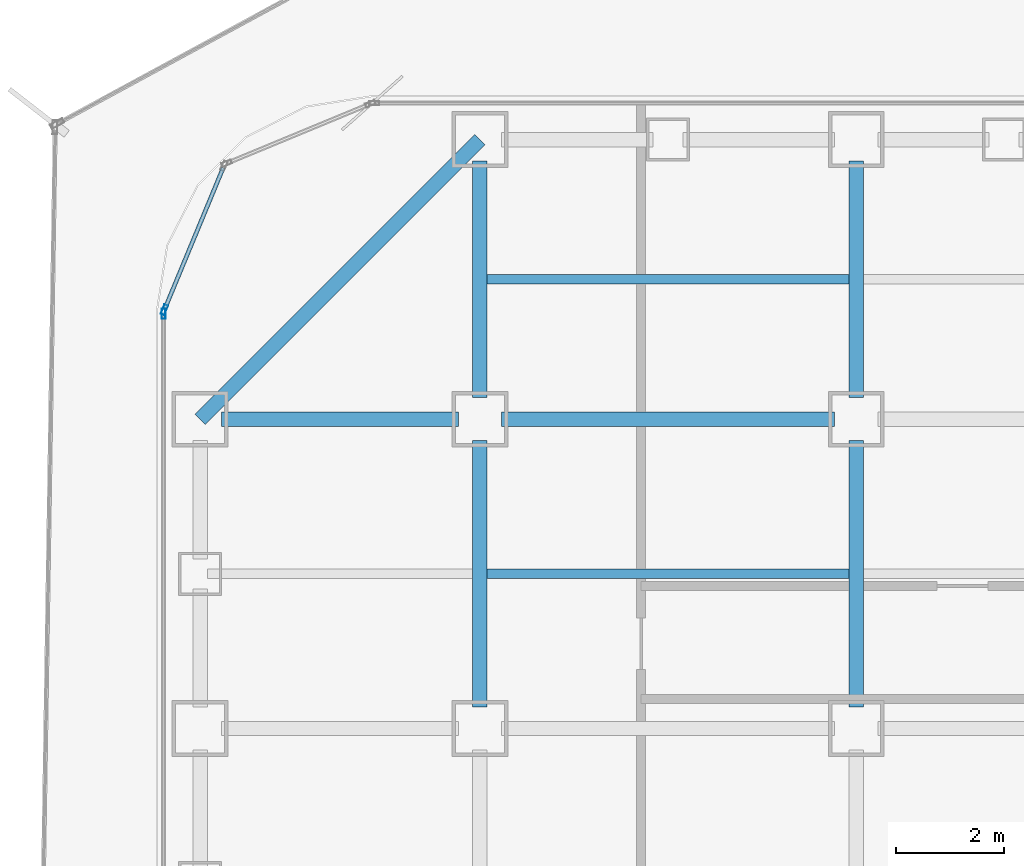
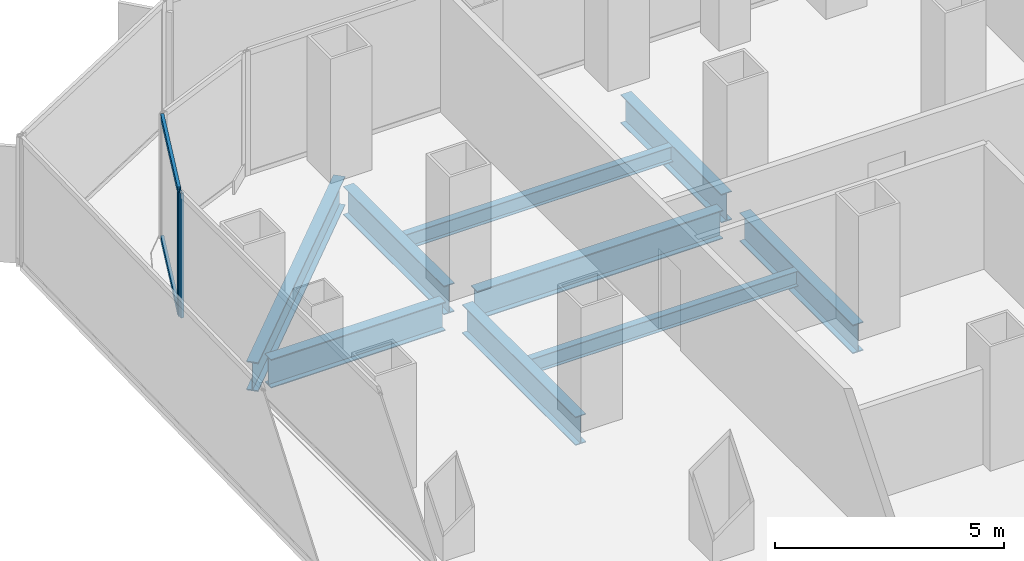
# One storey, part 10 of 22: 9 beams, 4 members, 2 elements without a shape of their own.
"""IFC4 building model written with IfcOpenShell, lengths in metres."""

from ifc_helpers import new_model, si_unit, direction, frame, origin, origin_2d, place, context, subcontext, project, spatial, hollow_rectangle, i_section, extrude, source, transform, mapped, material, layer, layer_set, material_profile, profile_set, type_object, element, aggregate, save


model = new_model("IFC4")

# Units and contexts
model_context = context("Model", 3, precision=1e-05, world=origin(), true_north=direction((0.0, 1.0)))
body_context = subcontext(model_context, "Body", "Model", "MODEL_VIEW")
ifc_project = project(units=[si_unit("LENGTHUNIT", "METRE"), si_unit("AREAUNIT", "SQUARE_METRE"), si_unit("VOLUMEUNIT", "CUBIC_METRE"), si_unit("PLANEANGLEUNIT", "RADIAN"), si_unit("MASSUNIT", "GRAM", prefix="KILO")], contexts=[model_context])

# Site, building, storey
site_placement = place(None, origin())
site = spatial("IfcSite", under=ifc_project, at=site_placement, CompositionType="ELEMENT")
building_placement = place(site_placement, origin())
building = spatial("IfcBuilding", under=site, at=building_placement, Name="Kolveth Station Tower", CompositionType="ELEMENT")
storey_placement = place(building_placement, frame((0.0, 0.0, 54.89990234375)))
storey = spatial("IfcBuildingStorey", under=building, at=storey_placement, Name="L14", CompositionType="ELEMENT", Elevation=54.89990234375)

# Beams
ifc_material_1 = material(Name="Steel S355", Category="steel")
ifc_material_profile_1 = material_profile(ifc_material_1, i_section(OverallWidth=0.26904296875, OverallDepth=0.77490234375, WebThickness=0.01708984375, FlangeThickness=0.0283203125, at=origin_2d()), Name="W760x220")
ifc_profile_set_1 = profile_set([ifc_material_profile_1], Name="Steel S355")
beam_type_1 = type_object("IfcBeamType", Name="Beam_SP1", PredefinedType="SPANDREL", material=ifc_profile_set_1)
shared_shape_1 = source(origin(), body_context, "Body", "SweptSolid", [
    extrude(i_section(OverallWidth=0.26904296875, OverallDepth=0.77490234375, WebThickness=0.01708984375, FlangeThickness=0.0283203125, at=origin_2d()), origin(), (0.0, 0.0, 1.0), 7.353759765625),
])
beam_1_placement = place(storey_placement, frame((6.0, 39.699951171875, -0.66748046875), z_axis=(-0.707106781187, -0.707106781187, 0.0), x_axis=(0.707106781187, -0.707106781187, 0.0)))
element("IfcBeam", 1, at=beam_1_placement, inside=storey, type_object=beam_type_1, Name="L14 Corner Edge Girder BM-L14-CNR-NW", PredefinedType="SPANDREL", context=body_context, shape_type="MappedRepresentation", body=[
    mapped(shared_shape_1, transform((0.0, 0.0, 0.0), x_axis=(1.0, 0.0, 0.0), y_axis=(0.0, 1.0, 0.0), z_axis=(0.0, 0.0, 1.0), scale=1.0)),
])
ifc_material_profile_2 = material_profile(ifc_material_1, i_section(OverallWidth=0.26708984375, OverallDepth=0.76611328125, WebThickness=0.014892578125, FlangeThickness=0.023681640625, at=origin_2d()), Name="W760x185")
ifc_profile_set_2 = profile_set([ifc_material_profile_2], Name="Steel S355")
beam_type_2 = type_object("IfcBeamType", Name="Beam_B3", PredefinedType="BEAM", material=ifc_profile_set_2)
shared_shape_2 = source(origin(), body_context, "Body", "SweptSolid", [
    extrude(i_section(OverallWidth=0.26708984375, OverallDepth=0.76611328125, WebThickness=0.014892578125, FlangeThickness=0.023681640625, at=origin_2d()), origin(), (0.0, 0.0, 1.0), 4.400146484375),
])
for number, where, z_axis, x_axis, name in (
    (2, (1.199951171875, 34.5, -0.662841796875), (1.0, 0.0, 0.0), (0.0, 1.0, 0.0), "L14 Primary Girder BM-L14-GY345-1"),
    (3, (6.0, 34.89990234375, -0.662841796875), (0.0, 1.0, 0.0), (-1.0, 0.0, 0.0), "L14 Primary Girder BM-L14-GX60-7"),
    (4, (13.0, 34.89990234375, -0.662841796875), (0.0, 1.0, 0.0), (-1.0, 0.0, 0.0), "L14 Primary Girder BM-L14-GX130-7"),
):
    element("IfcBeam", number, at=place(storey_placement, frame(where, z_axis=z_axis, x_axis=x_axis)), inside=storey, type_object=beam_type_2, Name=name, PredefinedType="BEAM", context=body_context, shape_type="MappedRepresentation", body=[
        mapped(shared_shape_2, transform((0.0, 0.0, 0.0), x_axis=(1.0, 0.0, 0.0), y_axis=(0.0, 1.0, 0.0), z_axis=(0.0, 0.0, 1.0), scale=1.0)),
    ])
shared_shape_3 = source(origin(), body_context, "Body", "SweptSolid", [
    extrude(i_section(OverallWidth=0.26708984375, OverallDepth=0.76611328125, WebThickness=0.014892578125, FlangeThickness=0.023681640625, at=origin_2d()), origin(), (0.0, 0.0, 1.0), 6.2001953125),
])
beam_2_placement = place(storey_placement, frame((6.39990234375, 34.5, -0.662841796875), z_axis=(1.0, 0.0, 0.0), x_axis=(0.0, 1.0, 0.0)))
element("IfcBeam", 5, at=beam_2_placement, inside=storey, type_object=beam_type_2, Name="L14 Primary Girder BM-L14-GY345-2", PredefinedType="BEAM", context=body_context, shape_type="MappedRepresentation", body=[
    mapped(shared_shape_3, transform((0.0, 0.0, 0.0), x_axis=(1.0, 0.0, 0.0), y_axis=(0.0, 1.0, 0.0), z_axis=(0.0, 0.0, 1.0), scale=1.0)),
])
shared_shape_4 = source(origin(), body_context, "Body", "SweptSolid", [
    extrude(i_section(OverallWidth=0.26708984375, OverallDepth=0.76611328125, WebThickness=0.014892578125, FlangeThickness=0.023681640625, at=origin_2d()), origin(), (0.0, 0.0, 1.0), 4.9501953125),
])
for number, where, z_axis, x_axis, name in (
    (6, (6.0, 29.14990234375, -0.662841796875), (0.0, 1.0, 0.0), (-1.0, 0.0, 0.0), "L14 Primary Girder BM-L14-GX60-6"),
    (7, (13.0, 29.14990234375, -0.662841796875), (0.0, 1.0, 0.0), (-1.0, 0.0, 0.0), "L14 Primary Girder BM-L14-GX130-6"),
):
    element("IfcBeam", number, at=place(storey_placement, frame(where, z_axis=z_axis, x_axis=x_axis)), inside=storey, type_object=beam_type_2, Name=name, PredefinedType="BEAM", context=body_context, shape_type="MappedRepresentation", body=[
        mapped(shared_shape_4, transform((0.0, 0.0, 0.0), x_axis=(1.0, 0.0, 0.0), y_axis=(0.0, 1.0, 0.0), z_axis=(0.0, 0.0, 1.0), scale=1.0)),
    ])
ifc_material_profile_3 = material_profile(ifc_material_1, i_section(OverallWidth=0.177978515625, OverallDepth=0.406982421875, WebThickness=0.0078125, FlangeThickness=0.0126953125, at=origin_2d()), Name="W410x60")
ifc_profile_set_3 = profile_set([ifc_material_profile_3], Name="Steel S355")
beam_type_3 = type_object("IfcBeamType", Name="Beam_J1", PredefinedType="JOIST", material=ifc_profile_set_3)
shared_shape_5 = source(origin(), body_context, "Body", "SweptSolid", [
    extrude(i_section(OverallWidth=0.177978515625, OverallDepth=0.406982421875, WebThickness=0.0078125, FlangeThickness=0.0126953125, at=origin_2d()), origin(), (0.0, 0.0, 1.0), 6.73681640625),
])
for number, where, z_axis, x_axis, name in (
    (8, (6.131591796875, 31.625, -0.4833984375), (1.0, 0.0, 0.0), (0.0, 1.0, 0.0), "L14 Secondary Joist JST-L14-2-6"),
    (9, (6.131591796875, 37.10009765625, -0.4833984375), (1.0, 0.0, 0.0), (0.0, 1.0, 0.0), "L14 Secondary Joist JST-L14-2-7"),
):
    element("IfcBeam", number, at=place(storey_placement, frame(where, z_axis=z_axis, x_axis=x_axis)), inside=storey, type_object=beam_type_3, Name=name, PredefinedType="JOIST", context=body_context, shape_type="MappedRepresentation", body=[
        mapped(shared_shape_5, transform((0.0, 0.0, 0.0), x_axis=(1.0, 0.0, 0.0), y_axis=(0.0, 1.0, 0.0), z_axis=(0.0, 0.0, 1.0), scale=1.0)),
    ])

# Curtain wall, member
ifc_material_2 = material(Name="Aluminium 6063-T6 and low-E dark glass", Category="aluminium")
ifc_layer = layer(ifc_material_2, 0.179931640625)
ifc_layer_set = layer_set([ifc_layer], Name="Aluminium 6063-T6 and low-E dark glass")
curtain_wall_type = type_object("IfcCurtainWallType", Name="CurtainWall_CW-Z1", PredefinedType="NOTDEFINED", material=ifc_layer_set)
curtain_wall_1_placement = place(storey_placement, origin())
curtain_wall_1 = element("IfcCurtainWall", 10, at=curtain_wall_1_placement, inside=storey, type_object=curtain_wall_type, Name="L14 Inner Thermal Curtain Wall 8", PredefinedType="NOTDEFINED")
ifc_material_3 = material(Name="Black anodized aluminium 6063-T6", Category="aluminium")
ifc_material_profile_4 = material_profile(ifc_material_3, hollow_rectangle(XDim=0.074951171875, YDim=0.18994140625, WallThickness=0.0048828125, at=origin_2d()), Name="ALU-75x190x5")
ifc_profile_set_4 = profile_set([ifc_material_profile_4], Name="Black anodized aluminium 6063-T6")
member_type_1 = type_object("IfcMemberType", Name="Mullion_ML1", PredefinedType="MULLION", material=ifc_profile_set_4)
shared_shape_6 = source(origin(), body_context, "Body", "SweptSolid", [
    extrude(hollow_rectangle(XDim=0.074951171875, YDim=0.18994140625, WallThickness=0.0048828125, at=origin_2d()), origin(), (0.0, 0.0, 1.0), 3.320068359375),
])
member_1_placement = place(storey_placement, frame((0.13427734375, 36.53466796875, 0.0), z_axis=(0.0, 0.0, 1.0), x_axis=(0.923883857728, -0.382672990201, 0.0)))
member_1 = element("IfcMember", 11, at=member_1_placement, type_object=member_type_1, Name="CW-Z1 mullion 2", PredefinedType="MULLION", context=body_context, shape_type="MappedRepresentation", body=[
    mapped(shared_shape_6, transform((0.0, 0.0, 0.0), x_axis=(1.0, 0.0, 0.0), y_axis=(0.0, 1.0, 0.0), z_axis=(0.0, 0.0, 1.0), scale=1.0)),
])

curtain_wall_2_placement = place(storey_placement, origin())
curtain_wall_2 = element("IfcCurtainWall", 12, at=curtain_wall_2_placement, inside=storey, type_object=curtain_wall_type, Name="L14 Inner Thermal Curtain Wall 9", PredefinedType="NOTDEFINED")
member_2_placement = place(storey_placement, frame((0.1201171875, 36.46240234375, 0.0), z_axis=(0.0, 0.0, 1.0), x_axis=(1.0, 0.0, 0.0)))
member_2 = element("IfcMember", 13, at=member_2_placement, type_object=member_type_1, Name="CW-Z1 mullion 1", PredefinedType="MULLION", context=body_context, shape_type="MappedRepresentation", body=[
    mapped(shared_shape_6, transform((0.0, 0.0, 0.0), x_axis=(1.0, 0.0, 0.0), y_axis=(0.0, 1.0, 0.0), z_axis=(0.0, 0.0, 1.0), scale=1.0)),
])
aggregate(curtain_wall_2, [member_2])

# Member
ifc_material_profile_5 = material_profile(ifc_material_3, hollow_rectangle(XDim=0.074951171875, YDim=0.159912109375, WallThickness=0.0048828125, at=origin_2d()), Name="ALU-75x160x5")
ifc_profile_set_5 = profile_set([ifc_material_profile_5], Name="Black anodized aluminium 6063-T6")
member_type_2 = type_object("IfcMemberType", Name="Transom_TR1", PredefinedType="USERDEFINED", material=ifc_profile_set_5)
shared_shape_7 = source(origin(), body_context, "Body", "SweptSolid", [
    extrude(hollow_rectangle(XDim=0.074951171875, YDim=0.159912109375, WallThickness=0.0048828125, at=origin_2d()), origin(), (0.0, 0.0, 1.0), 2.819580078125),
])
member_3_placement = place(storey_placement, frame((1.227783203125, 39.17431640625, 0.03759765625), z_axis=(-0.382708655389, -0.923869084389, 0.0), x_axis=(0.923869084389, -0.382708655389, 0.0)))
member_3 = element("IfcMember", 14, at=member_3_placement, type_object=member_type_2, Name="CW-Z1 transom 1.1", ObjectType="TRANSOM", PredefinedType="USERDEFINED", context=body_context, shape_type="MappedRepresentation", body=[
    mapped(shared_shape_7, transform((0.0, 0.0, 0.0), x_axis=(1.0, 0.0, 0.0), y_axis=(0.0, 1.0, 0.0), z_axis=(0.0, 0.0, 1.0), scale=1.0)),
])

member_4_placement = place(storey_placement, frame((1.227783203125, 39.17431640625, 3.28271484375), z_axis=(-0.382708655389, -0.923869084389, 0.0), x_axis=(0.923869084389, -0.382708655389, 0.0)))
member_4 = element("IfcMember", 15, at=member_4_placement, type_object=member_type_2, Name="CW-Z1 transom 1.2", ObjectType="TRANSOM", PredefinedType="USERDEFINED", context=body_context, shape_type="MappedRepresentation", body=[
    mapped(shared_shape_7, transform((0.0, 0.0, 0.0), x_axis=(1.0, 0.0, 0.0), y_axis=(0.0, 1.0, 0.0), z_axis=(0.0, 0.0, 1.0), scale=1.0)),
])

aggregate(curtain_wall_1, [member_1, member_3, member_4])

save(model, "model.ifc")
